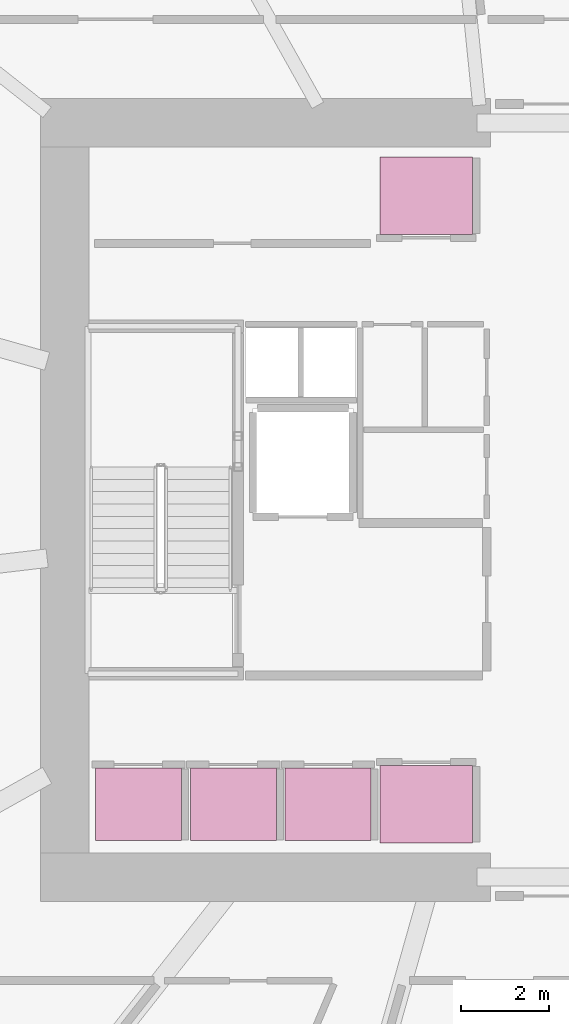
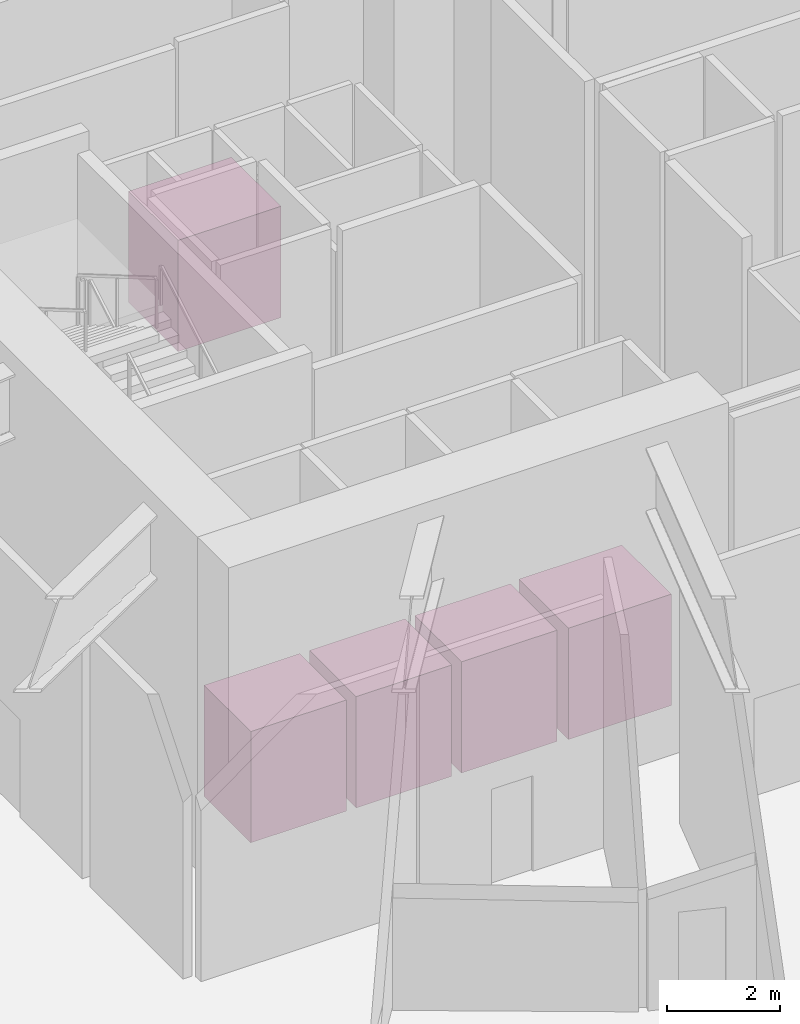
# One storey, part 28 of 28: 5 transport elements.
"""IFC4 building model written with IfcOpenShell, lengths in metres."""

from ifc_helpers import new_model, si_unit, direction, frame, origin, origin_2d, place, context, subcontext, project, spatial, rectangle, extrude, material, type_object, element, save


model = new_model("IFC4")

# Units and contexts
model_context = context("Model", 3, precision=1e-05, world=origin(), true_north=direction((0.0, 1.0)))
body_context = subcontext(model_context, "Body", "Model", "MODEL_VIEW")
ifc_project = project(units=[si_unit("LENGTHUNIT", "METRE"), si_unit("AREAUNIT", "SQUARE_METRE"), si_unit("VOLUMEUNIT", "CUBIC_METRE"), si_unit("PLANEANGLEUNIT", "RADIAN"), si_unit("MASSUNIT", "GRAM", prefix="KILO")], contexts=[model_context])

# Site, building, storey
site_placement = place(None, origin())
site = spatial("IfcSite", under=ifc_project, at=site_placement, CompositionType="ELEMENT")
building_placement = place(site_placement, origin())
building = spatial("IfcBuilding", under=site, at=building_placement, Name="Kazma Halo Residences", CompositionType="ELEMENT")
storey_placement = place(building_placement, origin())
storey = spatial("IfcBuildingStorey", under=building, at=storey_placement, Name="L00", CompositionType="ELEMENT", Elevation=0.0)

# Transport elements
ifc_material = material(Name="Brushed Stainless Steel Cab", Category="steel")
transport_element_type_1 = type_object("IfcTransportElementType", Name="LFT-PASS-LOW", PredefinedType="ELEVATOR", material=ifc_material)
for number, where, z_axis, x_axis, name in (
    (1, (38.919921875, 35.10009765625, 0.0), (0.0, 0.0, 1.0), (1.0, 0.0, 0.0), "Elevator PL-01"),
    (2, (41.070068359375, 35.10009765625, 0.0), (0.0, 0.0, 1.0), (1.0, 0.0, 0.0), "Elevator PL-02"),
    (3, (43.219970703125, 35.10009765625, 0.0), (0.0, 0.0, 1.0), (1.0, 0.0, 0.0), "Elevator PL-03"),
):
    element("IfcTransportElement", number, at=place(storey_placement, frame(where, z_axis=z_axis, x_axis=x_axis)), inside=storey, type_object=transport_element_type_1, Name=name, PredefinedType="ELEVATOR", context=body_context, shape_type="SweptSolid", body=[
        extrude(rectangle(XDim=1.949951171875, YDim=1.64990234375, at=origin_2d()), origin(), (0.0, 0.0, 1.0), 2.39990234375),
    ])
transport_element_type_2 = type_object("IfcTransportElementType", Name="LFT-SHUTTLE", PredefinedType="ELEVATOR", material=ifc_material)
for number, where, z_axis, x_axis, name in (
    (4, (45.449951171875, 48.89990234375, 0.0), (0.0, 0.0, 1.0), (1.0, 0.0, 0.0), "Elevator PX-01"),
    (5, (45.449951171875, 35.10009765625, 0.0), (0.0, 0.0, 1.0), (1.0, 0.0, 0.0), "Elevator PX-02"),
):
    element("IfcTransportElement", number, at=place(storey_placement, frame(where, z_axis=z_axis, x_axis=x_axis)), inside=storey, type_object=transport_element_type_2, Name=name, PredefinedType="ELEVATOR", context=body_context, shape_type="SweptSolid", body=[
        extrude(rectangle(XDim=2.10009765625, YDim=1.75, at=origin_2d()), origin(), (0.0, 0.0, 1.0), 2.39990234375),
    ])

save(model, "model.ifc")
